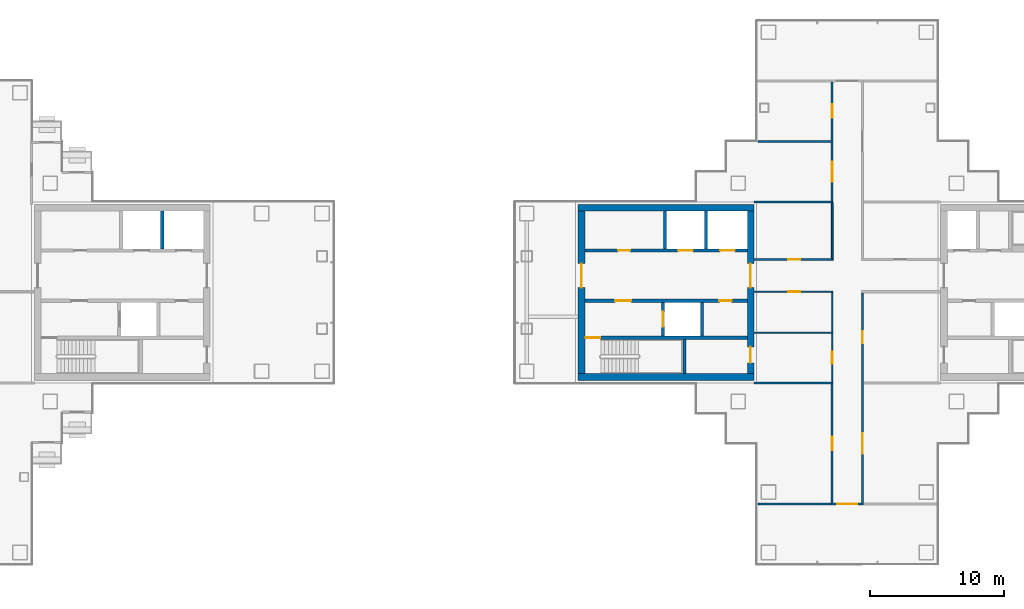
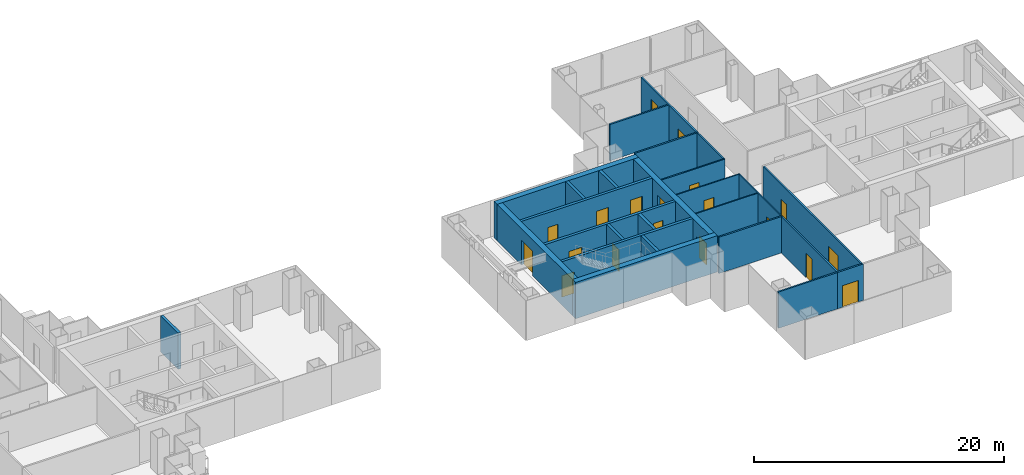
# One storey, part 11 of 16: 26 walls, 19 doors, 19 openings.
"""IFC4 building model written with IfcOpenShell, lengths in metres."""

from ifc_helpers import new_model, si_unit, direction, frame, frame_2d, origin, place, context, subcontext, project, spatial, rectangle, extrude, material, layer, layer_set, type_object, element, fill, save


model = new_model("IFC4")

# Units and contexts
model_context = context("Model", 3, precision=1e-05, world=origin(), true_north=direction((0.0, 1.0)))
body_context = subcontext(model_context, "Body", "Model", "MODEL_VIEW")
ifc_project = project(units=[si_unit("LENGTHUNIT", "METRE"), si_unit("AREAUNIT", "SQUARE_METRE"), si_unit("VOLUMEUNIT", "CUBIC_METRE"), si_unit("PLANEANGLEUNIT", "RADIAN"), si_unit("MASSUNIT", "GRAM", prefix="KILO")], contexts=[model_context])

# Site, building, storey
site_placement = place(None, origin())
site = spatial("IfcSite", under=ifc_project, at=site_placement, CompositionType="ELEMENT")
building_placement = place(site_placement, origin())
building = spatial("IfcBuilding", under=site, at=building_placement, Name="Shamsa Quay Exchange Towers", CompositionType="ELEMENT")
storey_placement = place(building_placement, frame((0.0, 0.0, 150.60009765625)))
storey = spatial("IfcBuildingStorey", under=building, at=storey_placement, Name="L35", CompositionType="ELEMENT", Elevation=150.60009765625)

# Walls
ifc_material_1 = material(Name="Concrete C60/75", Category="concrete")
ifc_layer_1 = layer(ifc_material_1, 0.5)
ifc_layer_set_1 = layer_set([ifc_layer_1], Name="CORE WALL 500 C60/75")
wall_type_1 = type_object("IfcWallType", Name="CORE WALL 500 C60/75", PredefinedType="SHEAR", material=ifc_layer_set_1)
for number, where, name in (
    (1, (13.699951171875, -6.300048828125, 0.0), "Core wall T2A-R17-PS"),
    (2, (13.699951171875, 6.300048828125, 0.0), "Core wall T2A-R17-PN"),
):
    element("IfcWall", number, at=place(storey_placement, frame(where)), inside=storey, type_object=wall_type_1, Name=name, PredefinedType="SHEAR", context=body_context, shape_type="SweptSolid", body=[
        extrude(rectangle(XDim=13.10009765625, YDim=0.5, at=frame_2d((6.550048828125, 0.0))), origin(), (0.0, 0.0, 1.0), 3.5498046875),
    ])

# Wall, opening, door
wall_1_placement = place(storey_placement, frame((13.949951171875, 6.050048828125, 0.0), z_axis=(0.0, 0.0, 1.0), x_axis=(0.0, -1.0, 0.0)))
wall_1 = element("IfcWall", 3, at=wall_1_placement, inside=storey, type_object=wall_type_1, Name="Core wall T2A-R17-PF", PredefinedType="SHEAR", context=body_context, shape_type="SweptSolid", body=[
    extrude(rectangle(XDim=12.10009765625, YDim=0.5, at=frame_2d((6.050048828125, 0.0))), origin(), (0.0, 0.0, 1.0), 3.5498046875),
])
opening_1_placement = place(wall_1_placement, frame((3.89990234375, 0.0, 0.0)))
opening_1 = element("IfcOpeningElement", 4, at=opening_1_placement, cuts=wall_1, Name="Opening T2A-R17-LBD01", PredefinedType="OPENING", context=body_context, shape_type="SweptSolid", body=[
    extrude(rectangle(XDim=1.800048828125, YDim=2.39990234375, at=frame_2d((0.89990234375, 1.199951171875))), frame((0.0, 0.260009765625, 0.0), z_axis=(0.0, -1.0, 0.0), x_axis=(1.0, 0.0, 0.0)), (0.0, 0.0, 1.0), 0.52001953125),
])
ifc_material_2 = material(Name="Steel, fire rated", Category="steel")
door_type_1 = type_object("IfcDoorType", Name="LIFT LOBBY DOOR PAIR 1800", OperationType="DOUBLE_DOOR_SINGLE_SWING", PredefinedType="DOOR", material=ifc_material_2)
door_1_placement = place(opening_1_placement, origin())
door_1 = element("IfcDoor", 5, at=door_1_placement, inside=storey, type_object=door_type_1, Name="T2A-R17-LBD01", OperationType="DOUBLE_DOOR_SINGLE_SWING", OverallHeight=2.39990234375, OverallWidth=1.800048828125, PredefinedType="DOOR", context=body_context, shape_type="SweptSolid", body=[
    extrude(rectangle(XDim=1.800048828125, YDim=2.39990234375, at=frame_2d((0.89990234375, 1.199951171875))), frame((0.0, 0.02490234375, 0.0), z_axis=(0.0, -1.0, 0.0), x_axis=(1.0, 0.0, 0.0)), (0.0, 0.0, 1.0), 0.050048828125),
])
fill(opening_1, door_1)

# Wall, openings, doors
wall_2_placement = place(storey_placement, frame((26.550048828125, 6.050048828125, 0.0), z_axis=(0.0, 0.0, 1.0), x_axis=(0.0, -1.0, 0.0)))
wall_2 = element("IfcWall", 6, at=wall_2_placement, inside=storey, type_object=wall_type_1, Name="Core wall T2A-R17-PB", PredefinedType="SHEAR", context=body_context, shape_type="SweptSolid", body=[
    extrude(rectangle(XDim=12.10009765625, YDim=0.5, at=frame_2d((6.050048828125, 0.0))), origin(), (0.0, 0.0, 1.0), 3.5498046875),
])
opening_2_placement = place(wall_2_placement, frame((10.10009765625, 0.0, 0.0)))
opening_2 = element("IfcOpeningElement", 7, at=opening_2_placement, cuts=wall_2, Name="Opening T2A-R17-RD02", PredefinedType="OPENING", context=body_context, shape_type="SweptSolid", body=[
    extrude(rectangle(XDim=1.199951171875, YDim=2.10009765625, at=frame_2d((0.60009765625, 1.050048828125))), frame((0.0, 0.260009765625, 0.0), z_axis=(0.0, -1.0, 0.0), x_axis=(1.0, 0.0, 0.0)), (0.0, 0.0, 1.0), 0.52001953125),
])
opening_3_placement = place(wall_2_placement, frame((3.89990234375, 0.0, 0.0)))
opening_3 = element("IfcOpeningElement", 8, at=opening_3_placement, cuts=wall_2, Name="Opening T2A-R17-LBD03", PredefinedType="OPENING", context=body_context, shape_type="SweptSolid", body=[
    extrude(rectangle(XDim=1.800048828125, YDim=2.39990234375, at=frame_2d((0.89990234375, 1.199951171875))), frame((0.0, 0.260009765625, 0.0), z_axis=(0.0, -1.0, 0.0), x_axis=(1.0, 0.0, 0.0)), (0.0, 0.0, 1.0), 0.52001953125),
])
door_2_placement = place(opening_3_placement, origin())
door_2 = element("IfcDoor", 9, at=door_2_placement, inside=storey, type_object=door_type_1, Name="T2A-R17-LBD03", OperationType="DOUBLE_DOOR_SINGLE_SWING", OverallHeight=2.39990234375, OverallWidth=1.800048828125, PredefinedType="DOOR", context=body_context, shape_type="SweptSolid", body=[
    extrude(rectangle(XDim=1.800048828125, YDim=2.39990234375, at=frame_2d((0.89990234375, 1.199951171875))), frame((0.0, 0.02490234375, 0.0), z_axis=(0.0, -1.0, 0.0), x_axis=(1.0, 0.0, 0.0)), (0.0, 0.0, 1.0), 0.050048828125),
])
fill(opening_3, door_2)
door_type_2 = type_object("IfcDoorType", Name="RISER ACCESS DOOR 1200", OperationType="SINGLE_SWING_LEFT", PredefinedType="DOOR", material=ifc_material_2)
door_3_placement = place(opening_2_placement, origin())
door_3 = element("IfcDoor", 10, at=door_3_placement, inside=storey, type_object=door_type_2, Name="T2A-R17-RD02", OperationType="SINGLE_SWING_RIGHT", OverallHeight=2.10009765625, OverallWidth=1.199951171875, PredefinedType="DOOR", context=body_context, shape_type="SweptSolid", body=[
    extrude(rectangle(XDim=1.199951171875, YDim=2.10009765625, at=frame_2d((0.60009765625, 1.050048828125))), frame((0.0, 0.02490234375, 0.0), z_axis=(0.0, -1.0, 0.0), x_axis=(1.0, 0.0, 0.0)), (0.0, 0.0, 1.0), 0.050048828125),
])
fill(opening_2, door_3)

# Wall
ifc_material_3 = material(Name="Laminated fire-resisting glass in a metal frame", Category="glass")
ifc_layer_2 = layer(ifc_material_3, 0.125)
ifc_layer_set_2 = layer_set([ifc_layer_2], Name="Glazed partition 125 mm EI 60")
wall_type_2 = type_object("IfcWallType", Name="Glazed partition 125 mm EI 60", PredefinedType="PARTITIONING", material=ifc_layer_set_2)
wall_3_placement = place(storey_placement, frame((32.625, 2.5126953125, 0.0), z_axis=(0.0, 0.0, 1.0), x_axis=(0.0, 1.0, 0.0)))
element("IfcWall", 11, at=wall_3_placement, inside=storey, type_object=wall_type_2, Name="Partition T2-R17-W01", PredefinedType="PARTITIONING", context=body_context, shape_type="SweptSolid", body=[
    extrude(rectangle(XDim=4.162353515625, YDim=0.125, at=frame_2d((2.0810546875, 0.0))), origin(), (0.0, 0.0, 1.0), 3.5498046875),
])

# Wall, opening, door
wall_4_placement = place(storey_placement, frame((26.800048828125, 2.4501953125, 0.0)))
wall_4 = element("IfcWall", 12, at=wall_4_placement, inside=storey, type_object=wall_type_2, Name="Partition T2-R17-W02", PredefinedType="PARTITIONING", context=body_context, shape_type="SweptSolid", body=[
    extrude(rectangle(XDim=5.887451171875, YDim=0.125, at=frame_2d((2.94384765625, 0.0))), origin(), (0.0, 0.0, 1.0), 3.5498046875),
])
opening_4_placement = place(wall_4_placement, frame((2.5625, 0.0, 0.0)))
opening_4 = element("IfcOpeningElement", 13, at=opening_4_placement, cuts=wall_4, Name="Opening T2-R17-D09", PredefinedType="OPENING", context=body_context, shape_type="SweptSolid", body=[
    extrude(rectangle(XDim=0.89990234375, YDim=2.10009765625, at=frame_2d((0.449951171875, 1.050048828125))), frame((0.0, 0.072509765625, 0.0), z_axis=(0.0, -1.0, 0.0), x_axis=(1.0, 0.0, 0.0)), (0.0, 0.0, 1.0), 0.14501953125),
])
ifc_material_4 = material(Name="Timber door leaf in a metal frame", Category="wood")
door_type_3 = type_object("IfcDoorType", Name="Door 900x2100 FD30S", OperationType="NOTDEFINED", PredefinedType="DOOR", material=ifc_material_4)
door_4_placement = place(opening_4_placement, origin())
door_4 = element("IfcDoor", 14, at=door_4_placement, inside=storey, type_object=door_type_3, Name="Door T2-R17-D09", OperationType="SINGLE_SWING_LEFT", OverallHeight=2.10009765625, OverallWidth=0.89990234375, PredefinedType="DOOR", context=body_context, shape_type="SweptSolid", body=[
    extrude(rectangle(XDim=0.89990234375, YDim=2.10009765625, at=frame_2d((0.449951171875, 1.050048828125))), frame((0.0, 0.02490234375, 0.0), z_axis=(0.0, -1.0, 0.0), x_axis=(1.0, 0.0, 0.0)), (0.0, 0.0, 1.0), 0.050048828125),
])
fill(opening_4, door_4)

ifc_material_5 = material(Name="Gypsum board partition on metal studs")
ifc_layer_3 = layer(ifc_material_5, 0.10009765625)
ifc_layer_set_3 = layer_set([ifc_layer_3], Name="Partition 100 mm NOT RATED")
wall_type_3 = type_object("IfcWallType", Name="Partition 100 mm NOT RATED", PredefinedType="PARTITIONING", material=ifc_layer_set_3)
wall_5_placement = place(storey_placement, frame((32.625, -6.675048828125, 0.0), z_axis=(0.0, 0.0, 1.0), x_axis=(0.0, 1.0, 0.0)))
wall_5 = element("IfcWall", 15, at=wall_5_placement, inside=storey, type_object=wall_type_3, Name="Partition T2-R17-W03", PredefinedType="PARTITIONING", context=body_context, shape_type="SweptSolid", body=[
    extrude(rectangle(XDim=6.6748046875, YDim=0.10009765625, at=frame_2d((3.33740234375, 0.0))), origin(), (0.0, 0.0, 1.0), 3.5498046875),
])
opening_5_placement = place(wall_5_placement, frame((1.35009765625, 0.0, 0.0)))
opening_5 = element("IfcOpeningElement", 16, at=opening_5_placement, cuts=wall_5, Name="Opening T2-R17-D08", PredefinedType="OPENING", context=body_context, shape_type="SweptSolid", body=[
    extrude(rectangle(XDim=0.89990234375, YDim=2.10009765625, at=frame_2d((0.449951171875, 1.050048828125))), frame((0.0, 0.06005859375, 0.0), z_axis=(0.0, -1.0, 0.0), x_axis=(1.0, 0.0, 0.0)), (0.0, 0.0, 1.0), 0.1201171875),
])
door_type_4 = type_object("IfcDoorType", Name="Door 900x2100 NOT RATED", OperationType="NOTDEFINED", PredefinedType="DOOR", material=ifc_material_4)
door_5_placement = place(opening_5_placement, origin())
door_5 = element("IfcDoor", 17, at=door_5_placement, inside=storey, type_object=door_type_4, Name="Door T2-R17-D08", OperationType="SINGLE_SWING_LEFT", OverallHeight=2.10009765625, OverallWidth=0.89990234375, PredefinedType="DOOR", context=body_context, shape_type="SweptSolid", body=[
    extrude(rectangle(XDim=0.89990234375, YDim=2.10009765625, at=frame_2d((0.449951171875, 1.050048828125))), frame((0.0, 0.02490234375, 0.0), z_axis=(0.0, -1.0, 0.0), x_axis=(1.0, 0.0, 0.0)), (0.0, 0.0, 1.0), 0.050048828125),
])
fill(opening_5, door_5)

wall_6_placement = place(storey_placement, frame((32.675048828125, 0.0498046875, 0.0), z_axis=(0.0, 0.0, 1.0), x_axis=(-1.0, 0.0, 0.0)))
wall_6 = element("IfcWall", 18, at=wall_6_placement, inside=storey, type_object=wall_type_3, Name="Partition T2-R17-W04", PredefinedType="PARTITIONING", context=body_context, shape_type="SweptSolid", body=[
    extrude(rectangle(XDim=5.875, YDim=0.10009765625, at=frame_2d((2.9375, 0.0))), origin(), (0.0, 0.0, 1.0), 3.5498046875),
])
opening_6_placement = place(wall_6_placement, frame((2.41259765625, 0.0, 0.0)))
opening_6 = element("IfcOpeningElement", 19, at=opening_6_placement, cuts=wall_6, Name="Opening T2-R17-D12", PredefinedType="OPENING", context=body_context, shape_type="SweptSolid", body=[
    extrude(rectangle(XDim=0.89990234375, YDim=2.10009765625, at=frame_2d((0.449951171875, 1.050048828125))), frame((0.0, 0.06005859375, 0.0), z_axis=(0.0, -1.0, 0.0), x_axis=(1.0, 0.0, 0.0)), (0.0, 0.0, 1.0), 0.1201171875),
])
door_6_placement = place(opening_6_placement, origin())
door_6 = element("IfcDoor", 20, at=door_6_placement, inside=storey, type_object=door_type_4, Name="Door T2-R17-D12", OperationType="SINGLE_SWING_RIGHT", OverallHeight=2.10009765625, OverallWidth=0.89990234375, PredefinedType="DOOR", context=body_context, shape_type="SweptSolid", body=[
    extrude(rectangle(XDim=0.89990234375, YDim=2.10009765625, at=frame_2d((0.449951171875, 1.050048828125))), frame((0.0, 0.02490234375, 0.0), z_axis=(0.0, -1.0, 0.0), x_axis=(1.0, 0.0, 0.0)), (0.0, 0.0, 1.0), 0.050048828125),
])
fill(opening_6, door_6)

# Wall
wall_7_placement = place(storey_placement, frame((32.574951171875, -3.0, 0.0), z_axis=(0.0, 0.0, 1.0), x_axis=(-1.0, 0.0, 0.0)))
element("IfcWall", 21, at=wall_7_placement, inside=storey, type_object=wall_type_3, Name="Partition T2-R17-W15", PredefinedType="PARTITIONING", context=body_context, shape_type="SweptSolid", body=[
    extrude(rectangle(XDim=5.77490234375, YDim=0.10009765625, at=frame_2d((2.887451171875, 0.0))), origin(), (0.0, 0.0, 1.0), 3.5498046875),
])

# Wall, openings, doors
ifc_layer_4 = layer(ifc_material_5, 0.14990234375)
ifc_layer_set_4 = layer_set([ifc_layer_4], Name="Partition 150 mm EI 60")
wall_type_4 = type_object("IfcWallType", Name="Partition 150 mm EI 60", PredefinedType="PARTITIONING", material=ifc_layer_set_4)
wall_8_placement = place(storey_placement, frame((34.875, -0.025146484375, 0.0), z_axis=(0.0, 0.0, 1.0), x_axis=(0.0, -1.0, 0.0)))
wall_8 = element("IfcWall", 22, at=wall_8_placement, inside=storey, type_object=wall_type_4, Name="Partition T2-R17-W06", PredefinedType="PARTITIONING", context=body_context, shape_type="SweptSolid", body=[
    extrude(rectangle(XDim=15.64990234375, YDim=0.14990234375, at=frame_2d((7.824951171875, 0.0))), origin(), (0.0, 0.0, 1.0), 3.5498046875),
])
opening_7_placement = place(wall_8_placement, frame((10.474853515625, 0.0, 0.0)))
opening_7 = element("IfcOpeningElement", 23, at=opening_7_placement, cuts=wall_8, Name="Opening T2-R17-D02", PredefinedType="OPENING", context=body_context, shape_type="SweptSolid", body=[
    extrude(rectangle(XDim=1.5, YDim=2.10009765625, at=frame_2d((0.75, 1.050048828125))), frame((0.0, 0.0849609375, 0.0), z_axis=(0.0, -1.0, 0.0), x_axis=(1.0, 0.0, 0.0)), (0.0, 0.0, 1.0), 0.169921875),
])
opening_8_placement = place(wall_8_placement, frame((2.875, 0.0, 0.0)))
opening_8 = element("IfcOpeningElement", 24, at=opening_8_placement, cuts=wall_8, Name="Opening T2-R17-D03", PredefinedType="OPENING", context=body_context, shape_type="SweptSolid", body=[
    extrude(rectangle(XDim=0.89990234375, YDim=2.10009765625, at=frame_2d((0.449951171875, 1.050048828125))), frame((0.0, 0.0849609375, 0.0), z_axis=(0.0, -1.0, 0.0), x_axis=(1.0, 0.0, 0.0)), (0.0, 0.0, 1.0), 0.169921875),
])
door_type_5 = type_object("IfcDoorType", Name="Door 1500x2100 FD30S pair", OperationType="NOTDEFINED", PredefinedType="DOOR", material=ifc_material_4)
door_7_placement = place(opening_7_placement, origin())
door_7 = element("IfcDoor", 25, at=door_7_placement, inside=storey, type_object=door_type_5, Name="Door T2-R17-D02", OperationType="DOUBLE_DOOR_SINGLE_SWING", OverallHeight=2.10009765625, OverallWidth=1.5, PredefinedType="DOOR", context=body_context, shape_type="SweptSolid", body=[
    extrude(rectangle(XDim=1.5, YDim=2.10009765625, at=frame_2d((0.75, 1.050048828125))), frame((0.0, 0.02490234375, 0.0), z_axis=(0.0, -1.0, 0.0), x_axis=(1.0, 0.0, 0.0)), (0.0, 0.0, 1.0), 0.050048828125),
])
fill(opening_7, door_7)
door_8_placement = place(opening_8_placement, origin())
door_8 = element("IfcDoor", 26, at=door_8_placement, inside=storey, type_object=door_type_3, Name="Door T2-R17-D03", OperationType="SINGLE_SWING_RIGHT", OverallHeight=2.10009765625, OverallWidth=0.89990234375, PredefinedType="DOOR", context=body_context, shape_type="SweptSolid", body=[
    extrude(rectangle(XDim=0.89990234375, YDim=2.10009765625, at=frame_2d((0.449951171875, 1.050048828125))), frame((0.0, 0.02490234375, 0.0), z_axis=(0.0, -1.0, 0.0), x_axis=(1.0, 0.0, 0.0)), (0.0, 0.0, 1.0), 0.050048828125),
])
fill(opening_8, door_8)

wall_9_placement = place(storey_placement, frame((32.625, 6.824951171875, 0.0), z_axis=(0.0, 0.0, 1.0), x_axis=(0.0, 1.0, 0.0)))
wall_9 = element("IfcWall", 27, at=wall_9_placement, inside=storey, type_object=wall_type_4, Name="Partition T2-R17-W09", PredefinedType="PARTITIONING", context=body_context, shape_type="SweptSolid", body=[
    extrude(rectangle(XDim=8.85009765625, YDim=0.14990234375, at=frame_2d((4.425048828125, 0.0))), origin(), (0.0, 0.0, 1.0), 3.5498046875),
])
opening_9_placement = place(wall_9_placement, frame((6.175048828125, 0.0, 0.0)))
opening_9 = element("IfcOpeningElement", 28, at=opening_9_placement, cuts=wall_9, Name="Opening T2-R17-D10", PredefinedType="OPENING", context=body_context, shape_type="SweptSolid", body=[
    extrude(rectangle(XDim=1.0, YDim=2.39990234375, at=frame_2d((0.5, 1.199951171875))), frame((0.0, 0.0849609375, 0.0), z_axis=(0.0, -1.0, 0.0), x_axis=(1.0, 0.0, 0.0)), (0.0, 0.0, 1.0), 0.169921875),
])
opening_10_placement = place(wall_9_placement, frame((1.425048828125, 0.0, 0.0)))
opening_10 = element("IfcOpeningElement", 29, at=opening_10_placement, cuts=wall_9, Name="Opening T2-R17-D11", PredefinedType="OPENING", context=body_context, shape_type="SweptSolid", body=[
    extrude(rectangle(XDim=1.5, YDim=2.10009765625, at=frame_2d((0.75, 1.050048828125))), frame((0.0, 0.0849609375, 0.0), z_axis=(0.0, -1.0, 0.0), x_axis=(1.0, 0.0, 0.0)), (0.0, 0.0, 1.0), 0.169921875),
])
door_type_6 = type_object("IfcDoorType", Name="Door 1000x2400 FD30S", OperationType="NOTDEFINED", PredefinedType="DOOR", material=ifc_material_4)
door_9_placement = place(opening_9_placement, origin())
door_9 = element("IfcDoor", 30, at=door_9_placement, inside=storey, type_object=door_type_6, Name="Door T2-R17-D10", OperationType="SINGLE_SWING_LEFT", OverallHeight=2.39990234375, OverallWidth=1.0, PredefinedType="DOOR", context=body_context, shape_type="SweptSolid", body=[
    extrude(rectangle(XDim=1.0, YDim=2.39990234375, at=frame_2d((0.5, 1.199951171875))), frame((0.0, 0.02490234375, 0.0), z_axis=(0.0, -1.0, 0.0), x_axis=(1.0, 0.0, 0.0)), (0.0, 0.0, 1.0), 0.050048828125),
])
fill(opening_9, door_9)
door_10_placement = place(opening_10_placement, origin())
door_10 = element("IfcDoor", 31, at=door_10_placement, inside=storey, type_object=door_type_5, Name="Door T2-R17-D11", OperationType="DOUBLE_DOOR_SINGLE_SWING", OverallHeight=2.10009765625, OverallWidth=1.5, PredefinedType="DOOR", context=body_context, shape_type="SweptSolid", body=[
    extrude(rectangle(XDim=1.5, YDim=2.10009765625, at=frame_2d((0.75, 1.050048828125))), frame((0.0, 0.02490234375, 0.0), z_axis=(0.0, -1.0, 0.0), x_axis=(1.0, 0.0, 0.0)), (0.0, 0.0, 1.0), 0.050048828125),
])
fill(opening_10, door_10)

# Wall, opening, door
wall_10_placement = place(storey_placement, frame((32.625, -15.675048828125, 0.0), z_axis=(0.0, 0.0, 1.0), x_axis=(0.0, 1.0, 0.0)))
wall_10 = element("IfcWall", 32, at=wall_10_placement, inside=storey, type_object=wall_type_4, Name="Partition T2-R17-W10", PredefinedType="PARTITIONING", context=body_context, shape_type="SweptSolid", body=[
    extrude(rectangle(XDim=8.85009765625, YDim=0.14990234375, at=frame_2d((4.425048828125, 0.0))), origin(), (0.0, 0.0, 1.0), 3.5498046875),
])
opening_11_placement = place(wall_10_placement, frame((3.925048828125, 0.0, 0.0)))
opening_11 = element("IfcOpeningElement", 33, at=opening_11_placement, cuts=wall_10, Name="Opening T2-R17-D07", PredefinedType="OPENING", context=body_context, shape_type="SweptSolid", body=[
    extrude(rectangle(XDim=1.0, YDim=2.39990234375, at=frame_2d((0.5, 1.199951171875))), frame((0.0, 0.0849609375, 0.0), z_axis=(0.0, -1.0, 0.0), x_axis=(1.0, 0.0, 0.0)), (0.0, 0.0, 1.0), 0.169921875),
])
door_11_placement = place(opening_11_placement, origin())
door_11 = element("IfcDoor", 34, at=door_11_placement, inside=storey, type_object=door_type_6, Name="Door T2-R17-D07", OperationType="SINGLE_SWING_LEFT", OverallHeight=2.39990234375, OverallWidth=1.0, PredefinedType="DOOR", context=body_context, shape_type="SweptSolid", body=[
    extrude(rectangle(XDim=1.0, YDim=2.39990234375, at=frame_2d((0.5, 1.199951171875))), frame((0.0, 0.02490234375, 0.0), z_axis=(0.0, -1.0, 0.0), x_axis=(1.0, 0.0, 0.0)), (0.0, 0.0, 1.0), 0.050048828125),
])
fill(opening_11, door_11)

wall_11_placement = place(storey_placement, frame((34.949951171875, -15.75, 0.0), z_axis=(0.0, 0.0, 1.0), x_axis=(-1.0, 0.0, 0.0)))
wall_11 = element("IfcWall", 35, at=wall_11_placement, inside=storey, type_object=wall_type_4, Name="Partition T2-R17-W12", PredefinedType="PARTITIONING", context=body_context, shape_type="SweptSolid", body=[
    extrude(rectangle(XDim=2.39990234375, YDim=0.14990234375, at=frame_2d((1.199951171875, 0.0))), origin(), (0.0, 0.0, 1.0), 3.5498046875),
])
opening_12_placement = place(wall_11_placement, frame((0.449951171875, 0.0, 0.0)))
opening_12 = element("IfcOpeningElement", 36, at=opening_12_placement, cuts=wall_11, Name="Opening T2-R17-D06", PredefinedType="OPENING", context=body_context, shape_type="SweptSolid", body=[
    extrude(rectangle(XDim=1.5, YDim=2.10009765625, at=frame_2d((0.75, 1.050048828125))), frame((0.0, 0.0849609375, 0.0), z_axis=(0.0, -1.0, 0.0), x_axis=(1.0, 0.0, 0.0)), (0.0, 0.0, 1.0), 0.169921875),
])
door_12_placement = place(opening_12_placement, origin())
door_12 = element("IfcDoor", 37, at=door_12_placement, inside=storey, type_object=door_type_5, Name="Door T2-R17-D06", OperationType="DOUBLE_DOOR_SINGLE_SWING", OverallHeight=2.10009765625, OverallWidth=1.5, PredefinedType="DOOR", context=body_context, shape_type="SweptSolid", body=[
    extrude(rectangle(XDim=1.5, YDim=2.10009765625, at=frame_2d((0.75, 1.050048828125))), frame((0.0, 0.02490234375, 0.0), z_axis=(0.0, -1.0, 0.0), x_axis=(1.0, 0.0, 0.0)), (0.0, 0.0, 1.0), 0.050048828125),
])
fill(opening_12, door_12)

# Walls
wall_12_placement = place(storey_placement, frame((32.699951171875, 6.75, 0.0), z_axis=(0.0, 0.0, 1.0), x_axis=(-1.0, 0.0, 0.0)))
element("IfcWall", 38, at=wall_12_placement, inside=storey, type_object=wall_type_4, Name="Partition T2-R17-W13", PredefinedType="PARTITIONING", context=body_context, shape_type="SweptSolid", body=[
    extrude(rectangle(XDim=5.89990234375, YDim=0.14990234375, at=frame_2d((2.949951171875, 0.0))), origin(), (0.0, 0.0, 1.0), 3.5498046875),
])
wall_13_placement = place(storey_placement, frame((26.800048828125, -6.75, 0.0)))
element("IfcWall", 39, at=wall_13_placement, inside=storey, type_object=wall_type_4, Name="Partition T2-R17-W17", PredefinedType="PARTITIONING", context=body_context, shape_type="SweptSolid", body=[
    extrude(rectangle(XDim=5.89990234375, YDim=0.14990234375, at=frame_2d((2.949951171875, 0.0))), origin(), (0.0, 0.0, 1.0), 3.5498046875),
])
wall_14_placement = place(storey_placement, frame((32.550048828125, 11.25, 0.0), z_axis=(0.0, 0.0, 1.0), x_axis=(-1.0, 0.0, 0.0)))
element("IfcWall", 40, at=wall_14_placement, inside=storey, type_object=wall_type_4, Name="Partition T2-R17-W18", PredefinedType="PARTITIONING", context=body_context, shape_type="SweptSolid", body=[
    extrude(rectangle(XDim=5.455078125, YDim=0.14990234375, at=frame_2d((2.7275390625, 0.0))), origin(), (0.0, 0.0, 1.0), 3.5498046875),
])
wall_15_placement = place(storey_placement, frame((27.094970703125, -15.75, 0.0)))
element("IfcWall", 41, at=wall_15_placement, inside=storey, type_object=wall_type_4, Name="Partition T2-R17-W22", PredefinedType="PARTITIONING", context=body_context, shape_type="SweptSolid", body=[
    extrude(rectangle(XDim=5.60498046875, YDim=0.14990234375, at=frame_2d((2.802490234375, 0.0))), origin(), (0.0, 0.0, 1.0), 3.5498046875),
])
ifc_material_6 = material(Name="Concrete C50/60", Category="concrete")
ifc_layer_5 = layer(ifc_material_6, 0.25)
ifc_layer_set_5 = layer_set([ifc_layer_5], Name="SHAFT WALL 250 C50/60")
wall_type_5 = type_object("IfcWallType", Name="SHAFT WALL 250 C50/60", PredefinedType="SHEAR", material=ifc_layer_set_5)
wall_16_placement = place(storey_placement, frame((-17.27490234375, 3.25, 0.0), z_axis=(0.0, 0.0, 1.0), x_axis=(0.0, 1.0, 0.0)))
element("IfcWall", 42, at=wall_16_placement, inside=storey, type_object=wall_type_5, Name="Shaft wall T1A-R17-D2", PredefinedType="SHEAR", context=body_context, shape_type="SweptSolid", body=[
    extrude(rectangle(XDim=2.800048828125, YDim=0.25, at=frame_2d((1.39990234375, 0.0))), origin(), (0.0, 0.0, 1.0), 3.5498046875),
])

# Wall, opening, door
wall_17_placement = place(storey_placement, frame((26.300048828125, -3.375, 0.0), z_axis=(0.0, 0.0, 1.0), x_axis=(-1.0, 0.0, 0.0)))
wall_17 = element("IfcWall", 43, at=wall_17_placement, inside=storey, type_object=wall_type_5, Name="Shaft wall T2A-R17-STL", PredefinedType="SHEAR", context=body_context, shape_type="SweptSolid", body=[
    extrude(rectangle(XDim=12.10009765625, YDim=0.25, at=frame_2d((6.050048828125, 0.0))), origin(), (0.0, 0.0, 1.0), 3.5498046875),
])
opening_13_placement = place(wall_17_placement, frame((10.949951171875, 0.0, 0.0)))
opening_13 = element("IfcOpeningElement", 44, at=opening_13_placement, cuts=wall_17, Name="Opening T2A-R17-SD04", PredefinedType="OPENING", context=body_context, shape_type="SweptSolid", body=[
    extrude(rectangle(XDim=1.10009765625, YDim=2.10009765625, at=frame_2d((0.550048828125, 1.050048828125))), frame((0.0, 0.135009765625, 0.0), z_axis=(0.0, -1.0, 0.0), x_axis=(1.0, 0.0, 0.0)), (0.0, 0.0, 1.0), 0.27001953125),
])
door_type_7 = type_object("IfcDoorType", Name="STAIR DOOR 1100", OperationType="SINGLE_SWING_LEFT", PredefinedType="DOOR", material=ifc_material_2)
door_13_placement = place(opening_13_placement, origin())
door_13 = element("IfcDoor", 45, at=door_13_placement, inside=storey, type_object=door_type_7, Name="T2A-R17-SD04", OperationType="SINGLE_SWING_RIGHT", OverallHeight=2.10009765625, OverallWidth=1.10009765625, PredefinedType="DOOR", context=body_context, shape_type="SweptSolid", body=[
    extrude(rectangle(XDim=1.10009765625, YDim=2.10009765625, at=frame_2d((0.550048828125, 1.050048828125))), frame((0.0, 0.02490234375, 0.0), z_axis=(0.0, -1.0, 0.0), x_axis=(1.0, 0.0, 0.0)), (0.0, 0.0, 1.0), 0.050048828125),
])
fill(opening_13, door_13)

# Wall
wall_18_placement = place(storey_placement, frame((21.625, -6.050048828125, 0.0), z_axis=(0.0, 0.0, 1.0), x_axis=(0.0, 1.0, 0.0)))
element("IfcWall", 46, at=wall_18_placement, inside=storey, type_object=wall_type_5, Name="Shaft wall T2A-R17-STF", PredefinedType="SHEAR", context=body_context, shape_type="SweptSolid", body=[
    extrude(rectangle(XDim=2.550048828125, YDim=0.25, at=frame_2d((1.27490234375, 0.0))), origin(), (0.0, 0.0, 1.0), 3.5498046875),
])

# Wall, openings, doors
wall_19_placement = place(storey_placement, frame((26.300048828125, -0.625, 0.0), z_axis=(0.0, 0.0, 1.0), x_axis=(-1.0, 0.0, 0.0)))
wall_19 = element("IfcWall", 47, at=wall_19_placement, inside=storey, type_object=wall_type_5, Name="Shaft wall T2A-R17-B", PredefinedType="SHEAR", context=body_context, shape_type="SweptSolid", body=[
    extrude(rectangle(XDim=12.10009765625, YDim=0.25, at=frame_2d((6.050048828125, 0.0))), origin(), (0.0, 0.0, 1.0), 3.5498046875),
])
opening_14_placement = place(wall_19_placement, frame((8.64990234375, 0.0, 0.0)))
opening_14 = element("IfcOpeningElement", 48, at=opening_14_placement, cuts=wall_19, Name="Opening T2A-R17-FD05", PredefinedType="OPENING", context=body_context, shape_type="SweptSolid", body=[
    extrude(rectangle(XDim=1.199951171875, YDim=2.10009765625, at=frame_2d((0.60009765625, 1.050048828125))), frame((0.0, 0.135009765625, 0.0), z_axis=(0.0, -1.0, 0.0), x_axis=(1.0, 0.0, 0.0)), (0.0, 0.0, 1.0), 0.27001953125),
])
opening_15_placement = place(wall_19_placement, frame((1.175048828125, 0.0, 0.0)))
opening_15 = element("IfcOpeningElement", 49, at=opening_15_placement, cuts=wall_19, Name="Opening T2A-R17-SV06", PredefinedType="OPENING", context=body_context, shape_type="SweptSolid", body=[
    extrude(rectangle(XDim=0.89990234375, YDim=2.10009765625, at=frame_2d((0.449951171875, 1.050048828125))), frame((0.0, 0.135009765625, 0.0), z_axis=(0.0, -1.0, 0.0), x_axis=(1.0, 0.0, 0.0)), (0.0, 0.0, 1.0), 0.27001953125),
])
door_type_8 = type_object("IfcDoorType", Name="FIRE SERVICE LOBBY DOOR 1200", OperationType="SINGLE_SWING_LEFT", PredefinedType="DOOR", material=ifc_material_2)
door_14_placement = place(opening_14_placement, origin())
door_14 = element("IfcDoor", 50, at=door_14_placement, inside=storey, type_object=door_type_8, Name="T2A-R17-FD05", OperationType="SINGLE_SWING_RIGHT", OverallHeight=2.10009765625, OverallWidth=1.199951171875, PredefinedType="DOOR", context=body_context, shape_type="SweptSolid", body=[
    extrude(rectangle(XDim=1.199951171875, YDim=2.10009765625, at=frame_2d((0.60009765625, 1.050048828125))), frame((0.0, 0.02490234375, 0.0), z_axis=(0.0, -1.0, 0.0), x_axis=(1.0, 0.0, 0.0)), (0.0, 0.0, 1.0), 0.050048828125),
])
fill(opening_14, door_14)
door_type_9 = type_object("IfcDoorType", Name="SERVICE ROOM DOOR 900", OperationType="SINGLE_SWING_LEFT", PredefinedType="DOOR", material=ifc_material_2)
door_15_placement = place(opening_15_placement, origin())
door_15 = element("IfcDoor", 51, at=door_15_placement, inside=storey, type_object=door_type_9, Name="T2A-R17-SV06", OperationType="SINGLE_SWING_LEFT", OverallHeight=2.10009765625, OverallWidth=0.89990234375, PredefinedType="DOOR", context=body_context, shape_type="SweptSolid", body=[
    extrude(rectangle(XDim=0.89990234375, YDim=2.10009765625, at=frame_2d((0.449951171875, 1.050048828125))), frame((0.0, 0.02490234375, 0.0), z_axis=(0.0, -1.0, 0.0), x_axis=(1.0, 0.0, 0.0)), (0.0, 0.0, 1.0), 0.050048828125),
])
fill(opening_15, door_15)

# Wall, opening, door
wall_20_placement = place(storey_placement, frame((20.02490234375, -3.25, 0.0), z_axis=(0.0, 0.0, 1.0), x_axis=(0.0, 1.0, 0.0)))
wall_20 = element("IfcWall", 52, at=wall_20_placement, inside=storey, type_object=wall_type_5, Name="Shaft wall T2A-R17-FFF", PredefinedType="SHEAR", context=body_context, shape_type="SweptSolid", body=[
    extrude(rectangle(XDim=2.5, YDim=0.25, at=frame_2d((1.25, 0.0))), origin(), (0.0, 0.0, 1.0), 3.5498046875),
])
opening_16_placement = place(wall_20_placement, frame((0.699951171875, 0.0, 0.0)))
opening_16 = element("IfcOpeningElement", 53, at=opening_16_placement, cuts=wall_20, Name="Opening T2A-R17-LDF07", PredefinedType="OPENING", context=body_context, shape_type="SweptSolid", body=[
    extrude(rectangle(XDim=1.10009765625, YDim=2.10009765625, at=frame_2d((0.550048828125, 1.050048828125))), frame((0.0, 0.135009765625, 0.0), z_axis=(0.0, -1.0, 0.0), x_axis=(1.0, 0.0, 0.0)), (0.0, 0.0, 1.0), 0.27001953125),
])
door_type_10 = type_object("IfcDoorType", Name="FIRE SERVICE LANDING DOOR 1100", OperationType="SLIDING_TO_LEFT", PredefinedType="DOOR", material=ifc_material_2)
door_16_placement = place(opening_16_placement, origin())
door_16 = element("IfcDoor", 54, at=door_16_placement, inside=storey, type_object=door_type_10, Name="T2A-R17-LDF07", OperationType="SLIDING_TO_LEFT", OverallHeight=2.10009765625, OverallWidth=1.10009765625, PredefinedType="DOOR", context=body_context, shape_type="SweptSolid", body=[
    extrude(rectangle(XDim=1.10009765625, YDim=2.10009765625, at=frame_2d((0.550048828125, 1.050048828125))), frame((0.0, 0.02490234375, 0.0), z_axis=(0.0, -1.0, 0.0), x_axis=(1.0, 0.0, 0.0)), (0.0, 0.0, 1.0), 0.050048828125),
])
fill(opening_16, door_16)

# Wall
wall_21_placement = place(storey_placement, frame((22.925048828125, -3.25, 0.0), z_axis=(0.0, 0.0, 1.0), x_axis=(0.0, 1.0, 0.0)))
element("IfcWall", 55, at=wall_21_placement, inside=storey, type_object=wall_type_5, Name="Shaft wall T2A-R17-FFB", PredefinedType="SHEAR", context=body_context, shape_type="SweptSolid", body=[
    extrude(rectangle(XDim=2.5, YDim=0.25, at=frame_2d((1.25, 0.0))), origin(), (0.0, 0.0, 1.0), 3.5498046875),
])

# Wall, openings, doors
wall_22_placement = place(storey_placement, frame((14.199951171875, 3.125, 0.0)))
wall_22 = element("IfcWall", 56, at=wall_22_placement, inside=storey, type_object=wall_type_5, Name="Shaft wall T2A-R17-N", PredefinedType="SHEAR", context=body_context, shape_type="SweptSolid", body=[
    extrude(rectangle(XDim=12.10009765625, YDim=0.25, at=frame_2d((6.050048828125, 0.0))), origin(), (0.0, 0.0, 1.0), 3.5498046875),
])
opening_17_placement = place(wall_22_placement, frame((6.949951171875, 0.0, 0.0)))
opening_17 = element("IfcOpeningElement", 57, at=opening_17_placement, cuts=wall_22, Name="Opening T2A-R17-LD08", PredefinedType="OPENING", context=body_context, shape_type="SweptSolid", body=[
    extrude(rectangle(XDim=1.10009765625, YDim=2.10009765625, at=frame_2d((0.550048828125, 1.050048828125))), frame((0.0, 0.135009765625, 0.0), z_axis=(0.0, -1.0, 0.0), x_axis=(1.0, 0.0, 0.0)), (0.0, 0.0, 1.0), 0.27001953125),
])
opening_18_placement = place(wall_22_placement, frame((10.074951171875, 0.0, 0.0)))
opening_18 = element("IfcOpeningElement", 58, at=opening_18_placement, cuts=wall_22, Name="Opening T2A-R17-LD09", PredefinedType="OPENING", context=body_context, shape_type="SweptSolid", body=[
    extrude(rectangle(XDim=1.10009765625, YDim=2.10009765625, at=frame_2d((0.550048828125, 1.050048828125))), frame((0.0, 0.135009765625, 0.0), z_axis=(0.0, -1.0, 0.0), x_axis=(1.0, 0.0, 0.0)), (0.0, 0.0, 1.0), 0.27001953125),
])
opening_19_placement = place(wall_22_placement, frame((2.47509765625, 0.0, 0.0)))
opening_19 = element("IfcOpeningElement", 59, at=opening_19_placement, cuts=wall_22, Name="Opening T2A-R17-SV10", PredefinedType="OPENING", context=body_context, shape_type="SweptSolid", body=[
    extrude(rectangle(XDim=0.89990234375, YDim=2.10009765625, at=frame_2d((0.449951171875, 1.050048828125))), frame((0.0, 0.135009765625, 0.0), z_axis=(0.0, -1.0, 0.0), x_axis=(1.0, 0.0, 0.0)), (0.0, 0.0, 1.0), 0.27001953125),
])
door_type_11 = type_object("IfcDoorType", Name="LANDING DOOR 1100", OperationType="SLIDING_TO_LEFT", PredefinedType="DOOR", material=ifc_material_2)
door_17_placement = place(opening_17_placement, origin())
door_17 = element("IfcDoor", 60, at=door_17_placement, inside=storey, type_object=door_type_11, Name="T2A-R17-LD08", OperationType="SLIDING_TO_LEFT", OverallHeight=2.10009765625, OverallWidth=1.10009765625, PredefinedType="DOOR", context=body_context, shape_type="SweptSolid", body=[
    extrude(rectangle(XDim=1.10009765625, YDim=2.10009765625, at=frame_2d((0.550048828125, 1.050048828125))), frame((0.0, 0.02490234375, 0.0), z_axis=(0.0, -1.0, 0.0), x_axis=(1.0, 0.0, 0.0)), (0.0, 0.0, 1.0), 0.050048828125),
])
fill(opening_17, door_17)
door_18_placement = place(opening_18_placement, origin())
door_18 = element("IfcDoor", 61, at=door_18_placement, inside=storey, type_object=door_type_11, Name="T2A-R17-LD09", OperationType="SLIDING_TO_LEFT", OverallHeight=2.10009765625, OverallWidth=1.10009765625, PredefinedType="DOOR", context=body_context, shape_type="SweptSolid", body=[
    extrude(rectangle(XDim=1.10009765625, YDim=2.10009765625, at=frame_2d((0.550048828125, 1.050048828125))), frame((0.0, 0.02490234375, 0.0), z_axis=(0.0, -1.0, 0.0), x_axis=(1.0, 0.0, 0.0)), (0.0, 0.0, 1.0), 0.050048828125),
])
fill(opening_18, door_18)
door_19_placement = place(opening_19_placement, origin())
door_19 = element("IfcDoor", 62, at=door_19_placement, inside=storey, type_object=door_type_9, Name="T2A-R17-SV10", OperationType="SINGLE_SWING_LEFT", OverallHeight=2.10009765625, OverallWidth=0.89990234375, PredefinedType="DOOR", context=body_context, shape_type="SweptSolid", body=[
    extrude(rectangle(XDim=0.89990234375, YDim=2.10009765625, at=frame_2d((0.449951171875, 1.050048828125))), frame((0.0, 0.02490234375, 0.0), z_axis=(0.0, -1.0, 0.0), x_axis=(1.0, 0.0, 0.0)), (0.0, 0.0, 1.0), 0.050048828125),
])
fill(opening_19, door_19)

# Walls
for number, where, z_axis, x_axis, name in (
    (63, (20.175048828125, 3.25, 0.0), (0.0, 0.0, 1.0), (0.0, 1.0, 0.0), "Shaft wall T2A-R17-D1"),
    (64, (23.22509765625, 3.25, 0.0), (0.0, 0.0, 1.0), (0.0, 1.0, 0.0), "Shaft wall T2A-R17-D2"),
):
    element("IfcWall", number, at=place(storey_placement, frame(where, z_axis=z_axis, x_axis=x_axis)), inside=storey, type_object=wall_type_5, Name=name, PredefinedType="SHEAR", context=body_context, shape_type="SweptSolid", body=[
        extrude(rectangle(XDim=2.800048828125, YDim=0.25, at=frame_2d((1.39990234375, 0.0))), origin(), (0.0, 0.0, 1.0), 3.5498046875),
    ])

save(model, "model.ifc")
